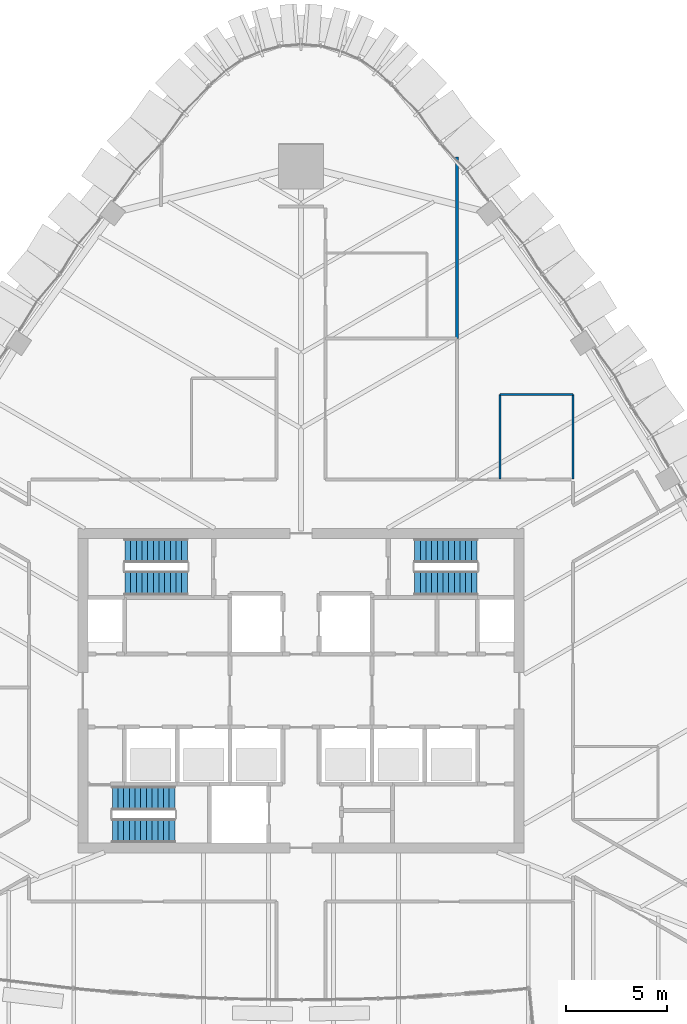
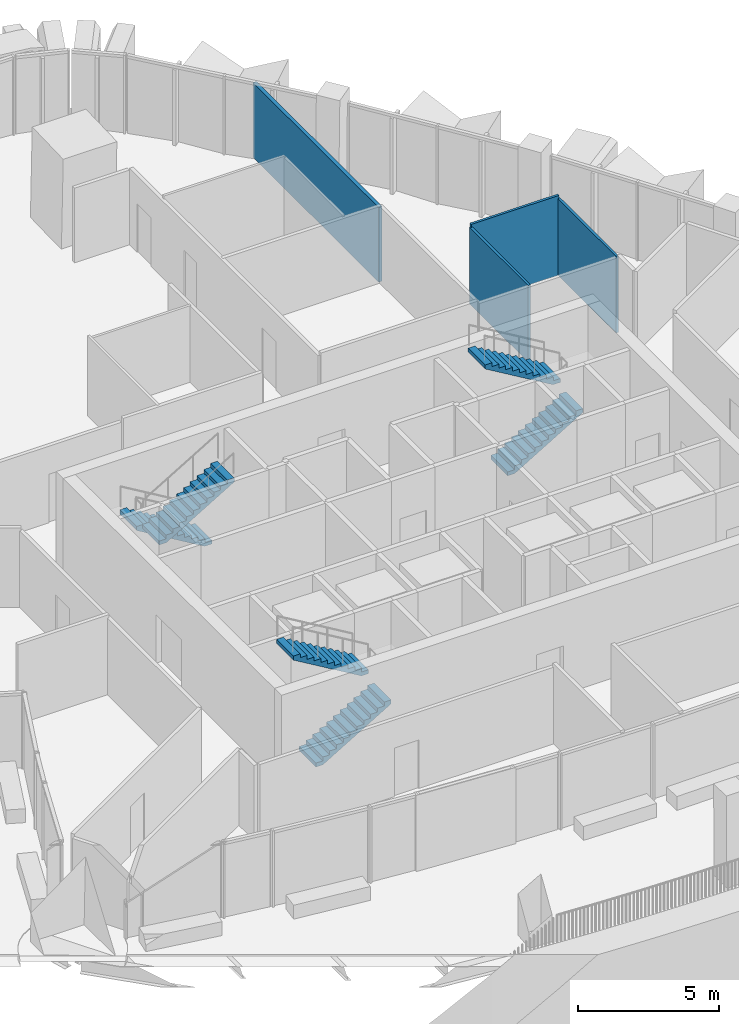
# One storey, part 15 of 22: 6 stair flights, 4 walls, 3 elements without a shape of their own.
"""IFC4 building model written with IfcOpenShell, lengths in metres."""

from ifc_helpers import new_model, si_unit, direction, frame, frame_2d, origin, place, context, subcontext, project, spatial, polyline, rectangle, outline, extrude, material, layer, layer_set, type_object, element, aggregate, save


model = new_model("IFC4")

# Units and contexts
model_context = context("Model", 3, precision=1e-05, world=origin(), true_north=direction((0.0, 1.0)))
body_context = subcontext(model_context, "Body", "Model", "MODEL_VIEW")
ifc_project = project(units=[si_unit("LENGTHUNIT", "METRE"), si_unit("AREAUNIT", "SQUARE_METRE"), si_unit("VOLUMEUNIT", "CUBIC_METRE"), si_unit("PLANEANGLEUNIT", "RADIAN"), si_unit("MASSUNIT", "GRAM", prefix="KILO")], contexts=[model_context])

# Site, building, storey
site_placement = place(None, origin())
site = spatial("IfcSite", under=ifc_project, at=site_placement, CompositionType="ELEMENT")
building_placement = place(site_placement, origin())
building = spatial("IfcBuilding", under=site, at=building_placement, Name="Sierra Prisma Convention Tower", CompositionType="ELEMENT")
storey_placement = place(building_placement, frame((0.0, 0.0, 227.0)))
storey = spatial("IfcBuildingStorey", under=building, at=storey_placement, Name="L50", CompositionType="ELEMENT", Elevation=227.0)

# Walls
ifc_material_1 = material(Name="Gypsum board partition", Category="gypsum")
ifc_layer_1 = layer(ifc_material_1, 0.10009765625)
ifc_layer_set_1 = layer_set([ifc_layer_1], Name="Bathroom partition 100")
wall_type_1 = type_object("IfcWallType", Name="Bathroom partition 100", PredefinedType="PARTITIONING", material=ifc_layer_set_1)
wall_1_placement = place(storey_placement, frame((9.800048828125, 10.429931640625, 0.0), z_axis=(0.0, 0.0, 1.0), x_axis=(0.0, 1.0, 0.0)))
element("IfcWall", 1, at=wall_1_placement, inside=storey, type_object=wall_type_1, Name="Partition L50 bath 5", PredefinedType="PARTITIONING", context=body_context, shape_type="SweptSolid", body=[
    extrude(rectangle(XDim=4.170166015625, YDim=0.10009765625, at=frame_2d((2.0849609375, 0.0))), origin(), (0.0, 0.0, 1.0), 3.31689453125),
])
wall_2_placement = place(storey_placement, frame((9.800048828125, 14.60009765625, 0.0), z_axis=(0.0, 0.0, 1.0), x_axis=(1.0, 0.0, 0.0)))
element("IfcWall", 2, at=wall_2_placement, inside=storey, type_object=wall_type_1, Name="Partition L50 bath 6", PredefinedType="PARTITIONING", context=body_context, shape_type="SweptSolid", body=[
    extrude(rectangle(XDim=3.599853515625, YDim=0.10009765625, at=frame_2d((1.7998046875, 0.0))), origin(), (0.0, 0.0, 1.0), 3.449951171875),
])
wall_3_placement = place(storey_placement, frame((13.39990234375, 14.60009765625, 0.0), z_axis=(0.0, 0.0, 1.0), x_axis=(0.0, -1.0, 0.0)))
element("IfcWall", 3, at=wall_3_placement, inside=storey, type_object=wall_type_1, Name="Partition L50 bath 7", PredefinedType="PARTITIONING", context=body_context, shape_type="SweptSolid", body=[
    extrude(rectangle(XDim=4.170166015625, YDim=0.10009765625, at=frame_2d((2.0849609375, 0.0))), origin(), (0.0, 0.0, 1.0), 3.31689453125),
])
ifc_material_2 = material(Name="Gypsum board partition", Category="gypsum")
ifc_layer_2 = layer(ifc_material_2, 0.14990234375)
ifc_layer_set_2 = layer_set([ifc_layer_2], Name="Party wall 150 gypsum")
wall_type_2 = type_object("IfcWallType", Name="Party wall 150 gypsum", PredefinedType="PARTITIONING", material=ifc_layer_set_2)
wall_4_placement = place(storey_placement, frame((7.699951171875, 17.3701171875, 0.0), z_axis=(0.0, 0.0, 1.0), x_axis=(0.0, 1.0, 0.0)))
element("IfcWall", 4, at=wall_4_placement, inside=storey, type_object=wall_type_2, Name="Partition L50 party 7", PredefinedType="PARTITIONING", context=body_context, shape_type="SweptSolid", body=[
    extrude(rectangle(XDim=8.9287109375, YDim=0.14990234375, at=frame_2d((4.46435546875, 0.0))), origin(), (0.0, 0.0, 1.0), 3.23388671875),
])

# Stair, stair flights
ifc_material_3 = material(Name="Concrete C30/37", Category="concrete")
stair_type = type_object("IfcStairType", Name="Stair dog-leg 1200 RC", PredefinedType="HALF_TURN_STAIR", material=ifc_material_3)
stair_1_placement = place(storey_placement, origin())
stair_1 = element("IfcStair", 5, at=stair_1_placement, inside=storey, type_object=stair_type, Name="L50 S1", PredefinedType="HALF_TURN_STAIR")
ifc_material_4 = material(Name="Concrete C30/37", Category="concrete")
stair_flight_type = type_object("IfcStairFlightType", Name="Stair flight RC 1200", PredefinedType="STRAIGHT", material=ifc_material_4)
stair_flight_1_placement = place(storey_placement, frame((-9.300048828125, -6.89990234375, 0.0), z_axis=(0.0, 0.0, 1.0), x_axis=(1.0, 0.0, 0.0)))
stair_flight_1 = element("IfcStairFlight", 6, at=stair_flight_1_placement, type_object=stair_flight_type, Name="S1 flight 1", NumberOfRisers=12, NumberOfTreads=11, PredefinedType="STRAIGHT", RiserHeight=0.166666667, TreadLength=0.28, context=body_context, shape_type="SweptSolid", body=[
    extrude(outline(polyline([(0.0, 0.0), (0.0, 0.166748046875), (0.280029296875, 0.166748046875), (0.280029296875, 0.333251953125), (0.56005859375, 0.333251953125), (0.56005859375, 0.5), (0.840087890625, 0.5), (0.840087890625, 0.666748046875), (1.1201171875, 0.666748046875), (1.1201171875, 0.833251953125), (1.39990234375, 0.833251953125), (1.39990234375, 1.0), (1.679931640625, 1.0), (1.679931640625, 1.166748046875), (1.9599609375, 1.166748046875), (1.9599609375, 1.333251953125), (2.239990234375, 1.333251953125), (2.239990234375, 1.5), (2.52001953125, 1.5), (2.52001953125, 1.666748046875), (2.800048828125, 1.666748046875), (2.800048828125, 1.833251953125), (3.080078125, 1.833251953125), (3.080078125, 2.0), (3.080078125, 1.658935546875), (0.29296875, 0.0), (0.0, 0.0)])), frame((0.0, 0.60009765625, 0.0), z_axis=(0.0, -1.0, 0.0), x_axis=(1.0, 0.0, 0.0)), (0.0, 0.0, 1.0), 1.199951171875),
])
stair_flight_2_placement = place(storey_placement, frame((-6.219970703125, -5.300048828125, 2.0), z_axis=(0.0, 0.0, 1.0), x_axis=(-1.0, 0.0, 0.0)))
stair_flight_2 = element("IfcStairFlight", 7, at=stair_flight_2_placement, type_object=stair_flight_type, Name="S1 flight 2", NumberOfRisers=12, NumberOfTreads=11, PredefinedType="STRAIGHT", RiserHeight=0.166666667, TreadLength=0.28, context=body_context, shape_type="SweptSolid", body=[
    extrude(outline(polyline([(0.0, 0.0), (0.0, 0.166748046875), (0.280029296875, 0.166748046875), (0.280029296875, 0.333251953125), (0.56005859375, 0.333251953125), (0.56005859375, 0.5), (0.840087890625, 0.5), (0.840087890625, 0.666748046875), (1.1201171875, 0.666748046875), (1.1201171875, 0.833251953125), (1.39990234375, 0.833251953125), (1.39990234375, 1.0), (1.679931640625, 1.0), (1.679931640625, 1.166748046875), (1.9599609375, 1.166748046875), (1.9599609375, 1.333251953125), (2.239990234375, 1.333251953125), (2.239990234375, 1.5), (2.52001953125, 1.5), (2.52001953125, 1.666748046875), (2.800048828125, 1.666748046875), (2.800048828125, 1.833251953125), (3.080078125, 1.833251953125), (3.080078125, 2.0), (3.080078125, 1.658935546875), (0.29296875, 0.0), (0.0, 0.0)])), frame((0.0, 0.60009765625, 0.0), z_axis=(0.0, -1.0, 0.0), x_axis=(1.0, 0.0, 0.0)), (0.0, 0.0, 1.0), 1.199951171875),
])
aggregate(stair_1, [stair_flight_1, stair_flight_2])

stair_2_placement = place(storey_placement, origin())
stair_2 = element("IfcStair", 8, at=stair_2_placement, inside=storey, type_object=stair_type, Name="L50 S3", PredefinedType="HALF_TURN_STAIR")
stair_flight_3_placement = place(storey_placement, frame((-5.60009765625, 6.89990234375, 0.0), z_axis=(0.0, 0.0, 1.0), x_axis=(-1.0, 0.0, 0.0)))
stair_flight_3 = element("IfcStairFlight", 9, at=stair_flight_3_placement, type_object=stair_flight_type, Name="S3 flight 1", NumberOfRisers=12, NumberOfTreads=11, PredefinedType="STRAIGHT", RiserHeight=0.166666667, TreadLength=0.28, context=body_context, shape_type="SweptSolid", body=[
    extrude(outline(polyline([(0.0, 0.0), (0.0, 0.166748046875), (0.280029296875, 0.166748046875), (0.280029296875, 0.333251953125), (0.56005859375, 0.333251953125), (0.56005859375, 0.5), (0.840087890625, 0.5), (0.840087890625, 0.666748046875), (1.1201171875, 0.666748046875), (1.1201171875, 0.833251953125), (1.39990234375, 0.833251953125), (1.39990234375, 1.0), (1.679931640625, 1.0), (1.679931640625, 1.166748046875), (1.9599609375, 1.166748046875), (1.9599609375, 1.333251953125), (2.239990234375, 1.333251953125), (2.239990234375, 1.5), (2.52001953125, 1.5), (2.52001953125, 1.666748046875), (2.800048828125, 1.666748046875), (2.800048828125, 1.833251953125), (3.080078125, 1.833251953125), (3.080078125, 2.0), (3.080078125, 1.658935546875), (0.29296875, 0.0), (0.0, 0.0)])), frame((0.0, 0.60009765625, 0.0), z_axis=(0.0, -1.0, 0.0), x_axis=(1.0, 0.0, 0.0)), (0.0, 0.0, 1.0), 1.199951171875),
])
stair_flight_4_placement = place(storey_placement, frame((-8.679931640625, 5.300048828125, 2.0), z_axis=(0.0, 0.0, 1.0), x_axis=(1.0, 0.0, 0.0)))
stair_flight_4 = element("IfcStairFlight", 10, at=stair_flight_4_placement, type_object=stair_flight_type, Name="S3 flight 2", NumberOfRisers=12, NumberOfTreads=11, PredefinedType="STRAIGHT", RiserHeight=0.166666667, TreadLength=0.28, context=body_context, shape_type="SweptSolid", body=[
    extrude(outline(polyline([(0.0, 0.0), (0.0, 0.166748046875), (0.280029296875, 0.166748046875), (0.280029296875, 0.333251953125), (0.56005859375, 0.333251953125), (0.56005859375, 0.5), (0.840087890625, 0.5), (0.840087890625, 0.666748046875), (1.1201171875, 0.666748046875), (1.1201171875, 0.833251953125), (1.39990234375, 0.833251953125), (1.39990234375, 1.0), (1.679931640625, 1.0), (1.679931640625, 1.166748046875), (1.9599609375, 1.166748046875), (1.9599609375, 1.333251953125), (2.239990234375, 1.333251953125), (2.239990234375, 1.5), (2.52001953125, 1.5), (2.52001953125, 1.666748046875), (2.800048828125, 1.666748046875), (2.800048828125, 1.833251953125), (3.080078125, 1.833251953125), (3.080078125, 2.0), (3.080078125, 1.658935546875), (0.29296875, 0.0), (0.0, 0.0)])), frame((0.0, 0.60009765625, 0.0), z_axis=(0.0, -1.0, 0.0), x_axis=(1.0, 0.0, 0.0)), (0.0, 0.0, 1.0), 1.199951171875),
])
aggregate(stair_2, [stair_flight_3, stair_flight_4])

stair_3_placement = place(storey_placement, origin())
stair_3 = element("IfcStair", 11, at=stair_3_placement, inside=storey, type_object=stair_type, Name="L50 S4", PredefinedType="HALF_TURN_STAIR")
stair_flight_5_placement = place(storey_placement, frame((5.60009765625, 5.300048828125, 0.0), z_axis=(0.0, 0.0, 1.0), x_axis=(1.0, 0.0, 0.0)))
stair_flight_5 = element("IfcStairFlight", 12, at=stair_flight_5_placement, type_object=stair_flight_type, Name="S4 flight 1", NumberOfRisers=12, NumberOfTreads=11, PredefinedType="STRAIGHT", RiserHeight=0.166666667, TreadLength=0.28, context=body_context, shape_type="SweptSolid", body=[
    extrude(outline(polyline([(0.0, 0.0), (0.0, 0.166748046875), (0.280029296875, 0.166748046875), (0.280029296875, 0.333251953125), (0.56005859375, 0.333251953125), (0.56005859375, 0.5), (0.840087890625, 0.5), (0.840087890625, 0.666748046875), (1.1201171875, 0.666748046875), (1.1201171875, 0.833251953125), (1.39990234375, 0.833251953125), (1.39990234375, 1.0), (1.679931640625, 1.0), (1.679931640625, 1.166748046875), (1.9599609375, 1.166748046875), (1.9599609375, 1.333251953125), (2.239990234375, 1.333251953125), (2.239990234375, 1.5), (2.52001953125, 1.5), (2.52001953125, 1.666748046875), (2.800048828125, 1.666748046875), (2.800048828125, 1.833251953125), (3.080078125, 1.833251953125), (3.080078125, 2.0), (3.080078125, 1.658935546875), (0.29296875, 0.0), (0.0, 0.0)])), frame((0.0, 0.60009765625, 0.0), z_axis=(0.0, -1.0, 0.0), x_axis=(1.0, 0.0, 0.0)), (0.0, 0.0, 1.0), 1.199951171875),
])
stair_flight_6_placement = place(storey_placement, frame((8.679931640625, 6.89990234375, 2.0), z_axis=(0.0, 0.0, 1.0), x_axis=(-1.0, 0.0, 0.0)))
stair_flight_6 = element("IfcStairFlight", 13, at=stair_flight_6_placement, type_object=stair_flight_type, Name="S4 flight 2", NumberOfRisers=12, NumberOfTreads=11, PredefinedType="STRAIGHT", RiserHeight=0.166666667, TreadLength=0.28, context=body_context, shape_type="SweptSolid", body=[
    extrude(outline(polyline([(0.0, 0.0), (0.0, 0.166748046875), (0.280029296875, 0.166748046875), (0.280029296875, 0.333251953125), (0.56005859375, 0.333251953125), (0.56005859375, 0.5), (0.840087890625, 0.5), (0.840087890625, 0.666748046875), (1.1201171875, 0.666748046875), (1.1201171875, 0.833251953125), (1.39990234375, 0.833251953125), (1.39990234375, 1.0), (1.679931640625, 1.0), (1.679931640625, 1.166748046875), (1.9599609375, 1.166748046875), (1.9599609375, 1.333251953125), (2.239990234375, 1.333251953125), (2.239990234375, 1.5), (2.52001953125, 1.5), (2.52001953125, 1.666748046875), (2.800048828125, 1.666748046875), (2.800048828125, 1.833251953125), (3.080078125, 1.833251953125), (3.080078125, 2.0), (3.080078125, 1.658935546875), (0.29296875, 0.0), (0.0, 0.0)])), frame((0.0, 0.60009765625, 0.0), z_axis=(0.0, -1.0, 0.0), x_axis=(1.0, 0.0, 0.0)), (0.0, 0.0, 1.0), 1.199951171875),
])
aggregate(stair_3, [stair_flight_5, stair_flight_6])

save(model, "model.ifc")
